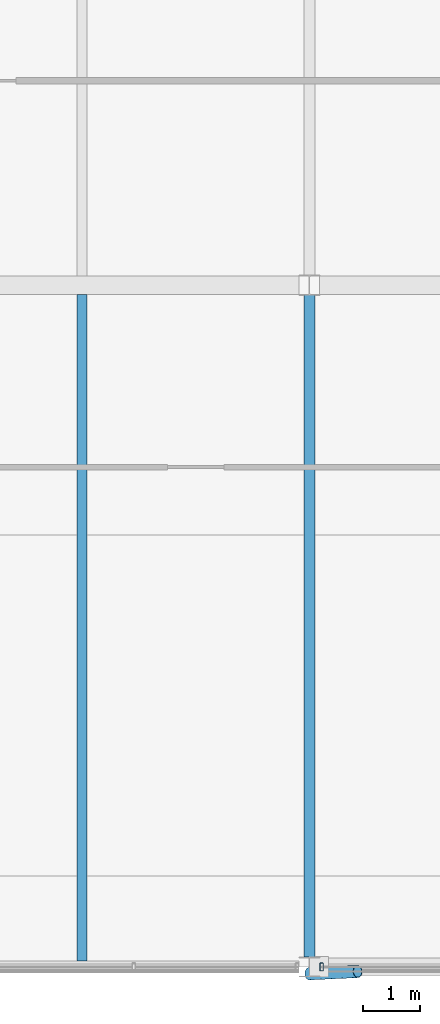
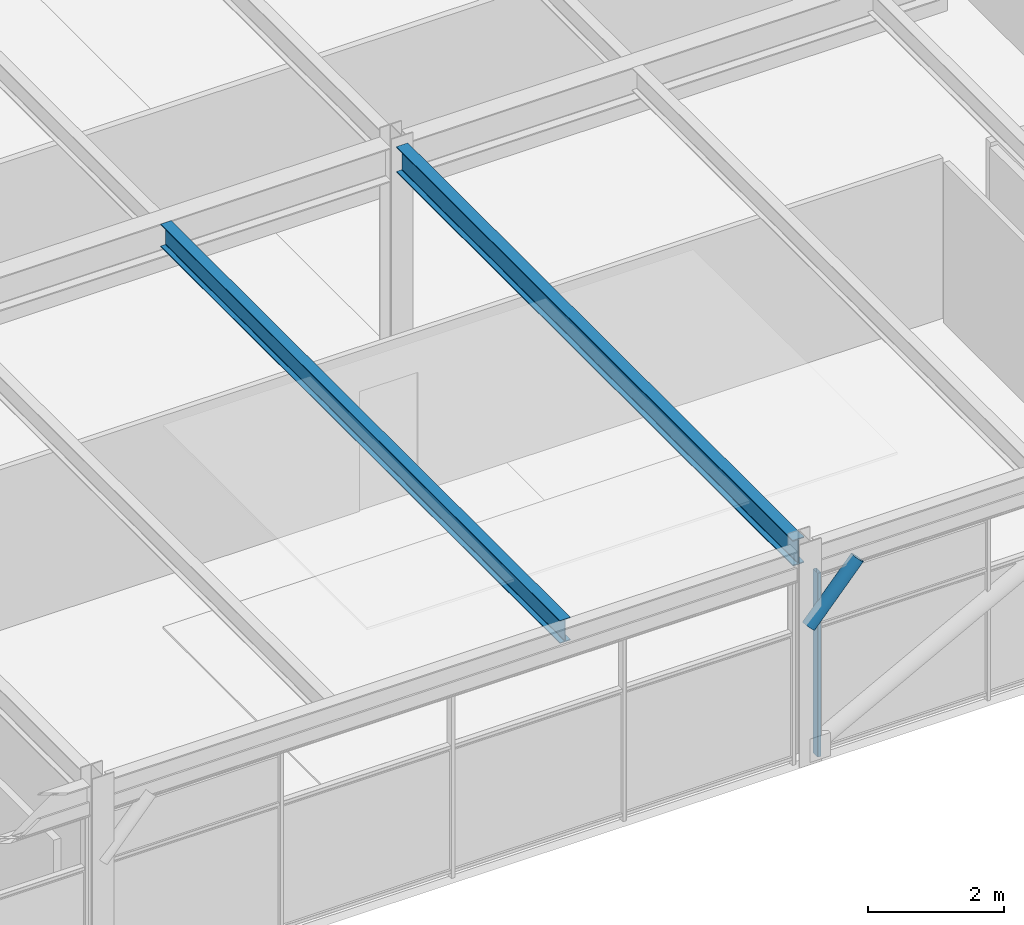
# One storey, part 15 of 32: 2 beams, 2 members, 1 element without a shape of its own.
"""IFC4 building model written with IfcOpenShell, lengths in metres."""

from ifc_helpers import new_model, si_unit, direction, frame, origin, origin_2d, place, context, subcontext, project, spatial, hollow_rectangle, hollow_circle, i_section, extrude, material, material_profile, profile_set, type_object, element, aggregate, save


model = new_model("IFC4")

# Units and contexts
model_context = context("Model", 3, precision=1e-05, world=origin(), true_north=direction((0.0, 1.0)))
body_context = subcontext(model_context, "Body", "Model", "MODEL_VIEW")
ifc_project = project(units=[si_unit("LENGTHUNIT", "METRE"), si_unit("AREAUNIT", "SQUARE_METRE"), si_unit("VOLUMEUNIT", "CUBIC_METRE"), si_unit("PLANEANGLEUNIT", "RADIAN"), si_unit("MASSUNIT", "GRAM", prefix="KILO")], contexts=[model_context])

# Site, building, storey
site_placement = place(None, origin())
site = spatial("IfcSite", under=ifc_project, at=site_placement, CompositionType="ELEMENT")
building_placement = place(site_placement, origin())
building = spatial("IfcBuilding", under=site, at=building_placement, Name="Girod Span Mobility Hub", CompositionType="ELEMENT")
storey_placement = place(building_placement, frame((0.0, 0.0, 61.60009765625)))
storey = spatial("IfcBuildingStorey", under=building, at=storey_placement, Name="L15", CompositionType="ELEMENT", Elevation=61.60009765625)

# Beams
ifc_material_1 = material(Name="Steel A992 Grade 50", Category="steel")
ifc_material_profile_1 = material_profile(ifc_material_1, i_section(OverallWidth=0.178955078125, OverallDepth=0.409912109375, WebThickness=0.0087890625, FlangeThickness=0.014404296875, FilletRadius=0.012939453125, at=origin_2d()), Name="W16X45")
ifc_profile_set_1 = profile_set([ifc_material_profile_1], Name="Steel A992 Grade 50")
beam_type_1 = type_object("IfcBeamType", Name="BM-STL-W16X45", PredefinedType="BEAM", material=ifc_profile_set_1)
beam_1_placement = place(storey_placement, frame((92.0, 45.10302734375, 3.635009765625), z_axis=(0.0, 1.0, 0.0), x_axis=(-1.0, 0.0, 0.0)))
element("IfcBeam", 1, at=beam_1_placement, inside=storey, type_object=beam_type_1, Name="Composite Floorbeam 8/D-2 L15", PredefinedType="BEAM", context=body_context, shape_type="SweptSolid", body=[
    extrude(i_section(OverallWidth=0.178955078125, OverallDepth=0.409912109375, WebThickness=0.0087890625, FlangeThickness=0.014404296875, FilletRadius=0.012939453125, at=origin_2d()), origin(), (0.0, 0.0, 1.0), 11.738037109375),
])
ifc_material_2 = material(Name="Steel A992 Grade 50", Category="steel")
ifc_material_profile_2 = material_profile(ifc_material_2, i_section(OverallWidth=0.19189453125, OverallDepth=0.462890625, WebThickness=0.010498046875, FlangeThickness=0.017578125, FilletRadius=0.013916015625, at=origin_2d()), Name="W18X60")
ifc_profile_set_2 = profile_set([ifc_material_profile_2], Name="Steel A992 Grade 50")
beam_type_2 = type_object("IfcBeamType", Name="BM-STL-W18X60", PredefinedType="BEAM", material=ifc_profile_set_2)
beam_2_placement = place(storey_placement, frame((96.0, 45.175048828125, 3.6083984375), z_axis=(0.0, 1.0, 0.0), x_axis=(-1.0, 0.0, 0.0)))
element("IfcBeam", 2, at=beam_2_placement, inside=storey, type_object=beam_type_2, Name="Tie Girder 9/D-E L15", PredefinedType="BEAM", context=body_context, shape_type="SweptSolid", body=[
    extrude(i_section(OverallWidth=0.19189453125, OverallDepth=0.462890625, WebThickness=0.010498046875, FlangeThickness=0.017578125, FilletRadius=0.013916015625, at=origin_2d()), origin(), (0.0, 0.0, 1.0), 11.64990234375),
])

# Curtain wall, member
ifc_material_3 = material(Name="Thermally Broken Anodised Aluminium", Category="aluminium")
curtain_wall_type = type_object("IfcCurtainWallType", Name="CW-1164X330", PredefinedType="USERDEFINED", material=ifc_material_3)
curtain_wall_placement = place(storey_placement, origin())
curtain_wall = element("IfcCurtainWall", 3, at=curtain_wall_placement, inside=storey, type_object=curtain_wall_type, Name="Unitised Curtain Wall CW-L15-S09 L15", ObjectType="UNITISED CURTAIN WALL", PredefinedType="USERDEFINED")
ifc_material_4 = material(Name="Thermally Broken Anodised Aluminium", Category="aluminium")
ifc_material_profile_3 = material_profile(ifc_material_4, hollow_rectangle(XDim=0.139892578125, YDim=0.06005859375, WallThickness=0.00341796875, InnerFilletRadius=0.00341796875, OuterFilletRadius=0.007080078125, at=origin_2d()), Name="CW-ML-60X140")
ifc_profile_set_3 = profile_set([ifc_material_profile_3], Name="Thermally Broken Anodised Aluminium")
member_type_1 = type_object("IfcMemberType", Name="CWM-ML-4", PredefinedType="MULLION", material=ifc_profile_set_3)
member_1_placement = place(storey_placement, frame((96.214599609375, 45.0, 0.0), z_axis=(0.0, 0.0, 1.0), x_axis=(0.0, 1.0, 0.0)))
member_1 = element("IfcMember", 4, at=member_1_placement, type_object=member_type_1, Name="Curtain Wall Mullion CW-L15-S09-M0", PredefinedType="MULLION", context=body_context, shape_type="SweptSolid", body=[
    extrude(hollow_rectangle(XDim=0.139892578125, YDim=0.06005859375, WallThickness=0.00341796875, InnerFilletRadius=0.00341796875, OuterFilletRadius=0.007080078125, at=origin_2d()), origin(), (0.0, 0.0, 1.0), 3.2958984375),
])
aggregate(curtain_wall, [member_1])

# Member
ifc_material_5 = material(Name="Steel HSS A500 Grade C", Category="steel")
ifc_material_profile_4 = material_profile(ifc_material_5, hollow_circle(Radius=0.109619140625, WallThickness=0.0087890625, at=origin_2d()), Name="HSS219X9.5")
ifc_profile_set_4 = profile_set([ifc_material_profile_4], Name="Steel HSS A500 Grade C")
member_type_2 = type_object("IfcMemberType", Name="MB-ST-HSS219", PredefinedType="STRUT", material=ifc_profile_set_4)
member_2_placement = place(storey_placement, frame((96.0, 44.8798828125, 2.449951171875), z_axis=(0.682328784125, 0.032137254623, 0.73033870719), x_axis=(-0.047047213483, 0.998892666758, 0.0)))
element("IfcMember", 5, at=member_2_placement, inside=storey, type_object=member_type_2, Name="Solar Shading Knee Strut 9 L15", PredefinedType="STRUT", context=body_context, shape_type="SweptSolid", body=[
    extrude(hollow_circle(Radius=0.109619140625, WallThickness=0.0087890625, at=origin_2d()), origin(), (0.0, 0.0, 1.0), 1.245849609375),
])

save(model, "model.ifc")
